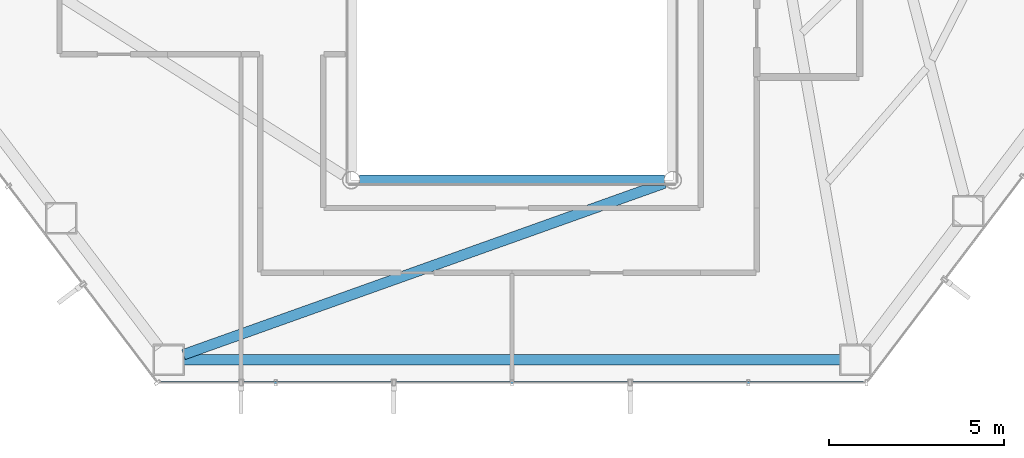
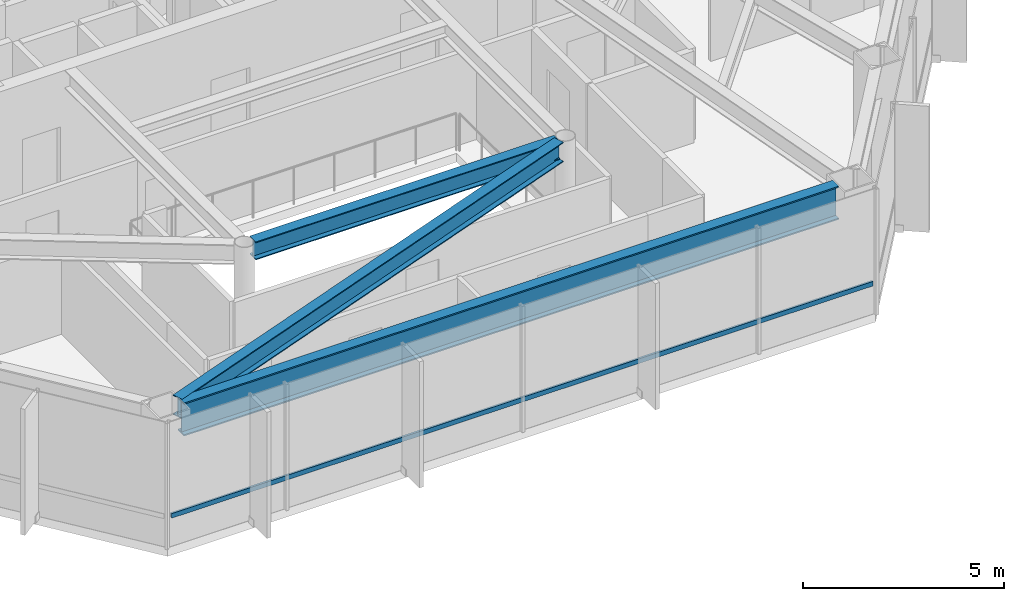
# One storey, part 7 of 24: 3 beams, 1 member, 1 element without a shape of its own.
"""IFC4 building model written with IfcOpenShell, lengths in metres."""

from ifc_helpers import new_model, si_unit, direction, frame, origin, origin_2d, place, context, subcontext, project, spatial, hollow_rectangle, i_section, extrude, material, layer, layer_set, material_profile, profile_set, type_object, element, aggregate, save


model = new_model("IFC4")

# Units and contexts
model_context = context("Model", 3, precision=1e-05, world=origin(), true_north=direction((0.0, 1.0)))
body_context = subcontext(model_context, "Body", "Model", "MODEL_VIEW")
ifc_project = project(units=[si_unit("LENGTHUNIT", "METRE"), si_unit("AREAUNIT", "SQUARE_METRE"), si_unit("VOLUMEUNIT", "CUBIC_METRE"), si_unit("PLANEANGLEUNIT", "RADIAN"), si_unit("MASSUNIT", "GRAM", prefix="KILO")], contexts=[model_context])

# Site, building, storey
site_placement = place(None, origin())
site = spatial("IfcSite", under=ifc_project, at=site_placement, CompositionType="ELEMENT")
building_placement = place(site_placement, origin())
building = spatial("IfcBuilding", under=site, at=building_placement, Name="Zarrinselat Tower", CompositionType="ELEMENT")
storey_placement = place(building_placement, frame((0.0, 0.0, 76.5)))
storey = spatial("IfcBuildingStorey", under=building, at=storey_placement, Name="L18", CompositionType="ELEMENT", Elevation=76.5)

# Beams
ifc_material_1 = material(Name="Steel S355J2", Category="steel")
ifc_material_profile_1 = material_profile(ifc_material_1, i_section(OverallWidth=0.300048828125, OverallDepth=0.550048828125, WebThickness=0.014892578125, FlangeThickness=0.029052734375, at=origin_2d()), Name="HEB 550")
ifc_profile_set_1 = profile_set([ifc_material_profile_1], Name="Steel S355J2")
beam_type_1 = type_object("IfcBeamType", Name="BM-HEB550", PredefinedType="BEAM", material=ifc_profile_set_1)
beam_1_placement = place(storey_placement, frame((34.0400390625, 24.39990234375, 3.544921875), z_axis=(1.0, 0.0, 0.0), x_axis=(0.0, 1.0, 0.0)))
element("IfcBeam", 1, at=beam_1_placement, inside=storey, type_object=beam_type_1, Name="L18 Atrium Edge Beam S", PredefinedType="BEAM", context=body_context, shape_type="SweptSolid", body=[
    extrude(i_section(OverallWidth=0.300048828125, OverallDepth=0.550048828125, WebThickness=0.014892578125, FlangeThickness=0.029052734375, at=origin_2d()), origin(), (0.0, 0.0, 1.0), 8.719970703125),
])
ifc_material_2 = material(Name="Steel S355J2", Category="steel")
ifc_material_profile_2 = material_profile(ifc_material_2, i_section(OverallWidth=0.300048828125, OverallDepth=0.60009765625, WebThickness=0.015380859375, FlangeThickness=0.030029296875, at=origin_2d()), Name="HEB 600")
ifc_profile_set_2 = profile_set([ifc_material_profile_2], Name="Steel S355J2")
beam_type_2 = type_object("IfcBeamType", Name="BM-HEB600", PredefinedType="BEAM", material=ifc_profile_set_2)
beam_2_placement = place(storey_placement, frame((29.00341796875, 19.40673828125, 3.52001953125), z_axis=(0.941860184436, 0.336005049031, 0.0), x_axis=(-0.336005049031, 0.941860184436, 0.0)))
element("IfcBeam", 2, at=beam_2_placement, inside=storey, type_object=beam_type_2, Name="L18 Radial Primary Girder RG10", PredefinedType="BEAM", context=body_context, shape_type="SweptSolid", body=[
    extrude(i_section(OverallWidth=0.300048828125, OverallDepth=0.60009765625, WebThickness=0.015380859375, FlangeThickness=0.030029296875, at=origin_2d()), origin(), (0.0, 0.0, 1.0), 14.6103515625),
])
ifc_material_3 = material(Name="Steel S460M", Category="steel")
ifc_material_profile_3 = material_profile(ifc_material_3, i_section(OverallWidth=0.302001953125, OverallDepth=1.008056640625, WebThickness=0.02099609375, FlangeThickness=0.0400390625, at=origin_2d()), Name="HEM 1000")
ifc_profile_set_3 = profile_set([ifc_material_profile_3], Name="Steel S460M")
beam_type_3 = type_object("IfcBeamType", Name="BM-HEM1000", PredefinedType="BEAM", material=ifc_profile_set_3)
beam_3_placement = place(storey_placement, frame((29.015869140625, 19.2548828125, 3.31591796875), z_axis=(1.0, 0.0, 0.0), x_axis=(0.0, 1.0, 0.0)))
element("IfcBeam", 3, at=beam_3_placement, inside=storey, type_object=beam_type_3, Name="L18 Perimeter Spandrel Girder SP10", PredefinedType="BEAM", context=body_context, shape_type="SweptSolid", body=[
    extrude(i_section(OverallWidth=0.302001953125, OverallDepth=1.008056640625, WebThickness=0.02099609375, FlangeThickness=0.0400390625, at=origin_2d()), origin(), (0.0, 0.0, 1.0), 18.768310546875),
])

# Curtain wall, member
ifc_material_4 = material(Name="Extruded Aluminium Alloy EN AW-6063 T6", Category="aluminium")
ifc_layer = layer(ifc_material_4, 0.18505859375)
ifc_layer_set = layer_set([ifc_layer], Name="Extruded Aluminium Alloy EN AW-6063 T6")
curtain_wall_type = type_object("IfcCurtainWallType", Name="CWS-OFF", PredefinedType="NOTDEFINED", material=ifc_layer_set)
curtain_wall_placement = place(storey_placement, origin())
curtain_wall = element("IfcCurtainWall", 4, at=curtain_wall_placement, inside=storey, type_object=curtain_wall_type, Name="L18 Unitised Curtain Wall CW-L18-E04", PredefinedType="NOTDEFINED")
ifc_material_5 = material(Name="Extruded Aluminium Alloy EN AW-6063 T6", Category="aluminium")
ifc_material_profile_4 = material_profile(ifc_material_5, hollow_rectangle(XDim=0.06005859375, YDim=0.139892578125, WallThickness=0.00390625, at=origin_2d()), Name="RHS 140x60x4")
ifc_profile_set_4 = profile_set([ifc_material_profile_4], Name="Extruded Aluminium Alloy EN AW-6063 T6")
member_type = type_object("IfcMemberType", Name="MEM-CW-TRN", PredefinedType="USERDEFINED", material=ifc_profile_set_4)
member_placement = place(storey_placement, frame((28.3447265625, 18.60498046875, 0.949951171875), z_axis=(1.0, 0.0, 0.0), x_axis=(0.0, 1.0, 0.0)))
member = element("IfcMember", 5, at=member_placement, type_object=member_type, Name="CW-L18-E04 Transom 1", ObjectType="TRANSOM", PredefinedType="USERDEFINED", context=body_context, shape_type="SweptSolid", body=[
    extrude(hollow_rectangle(XDim=0.06005859375, YDim=0.139892578125, WallThickness=0.00390625, at=origin_2d()), origin(), (0.0, 0.0, 1.0), 20.1103515625),
])
aggregate(curtain_wall, [member])

save(model, "model.ifc")
